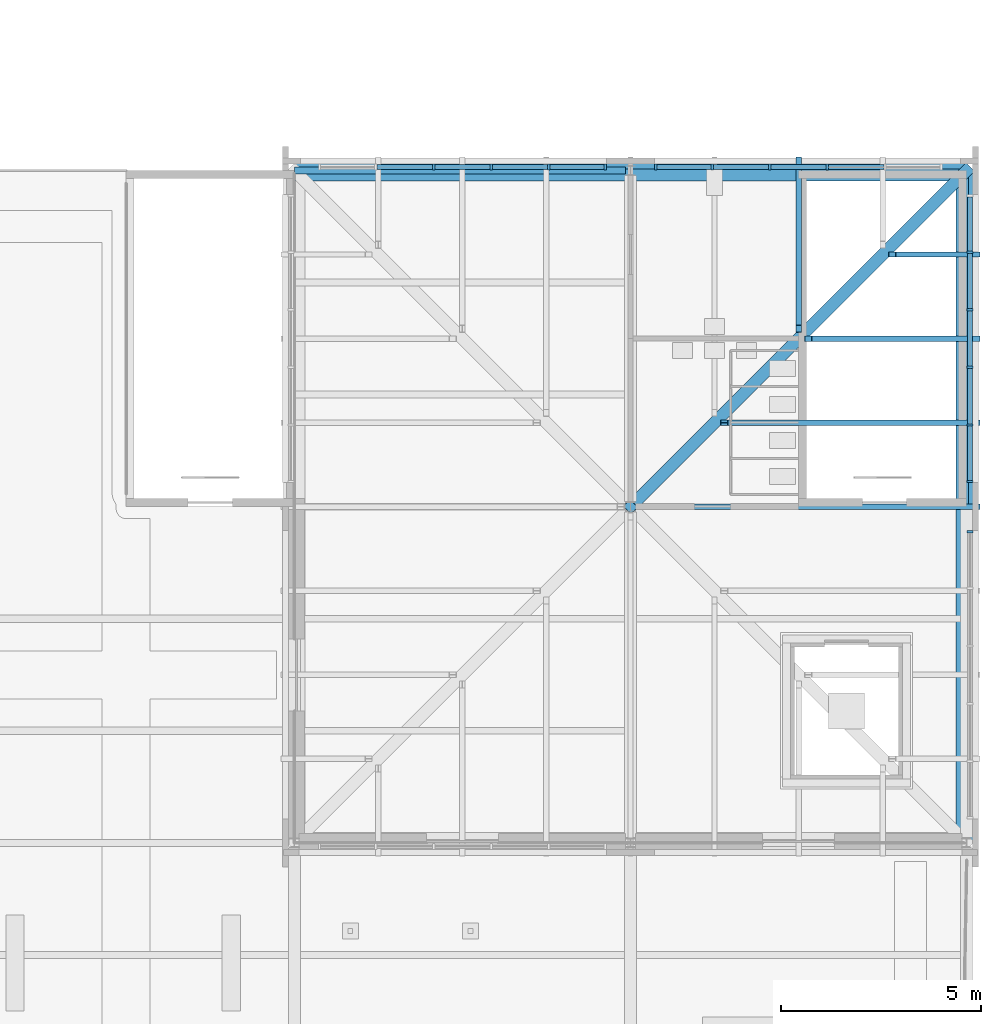
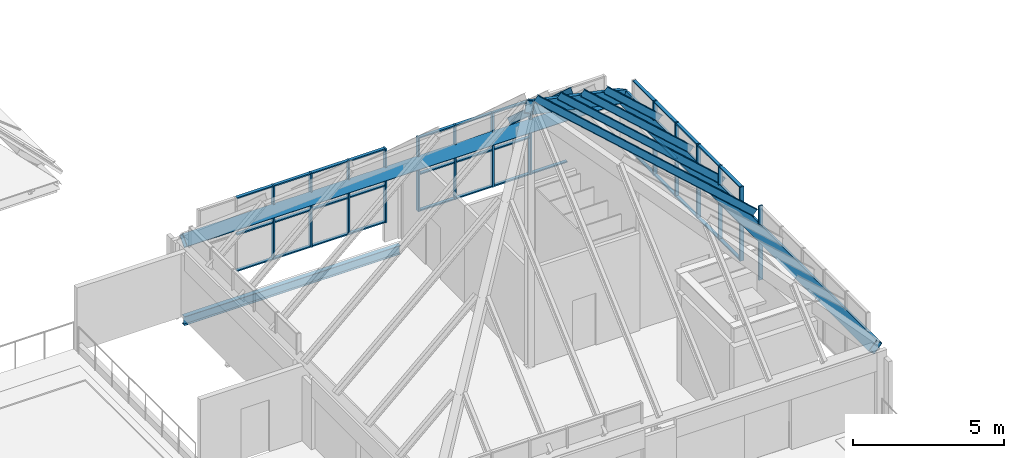
# One storey, part 38 of 126: 56 members, 4 beams, 4 elements without a shape of their own.
"""IFC4 building model written with IfcOpenShell, lengths in metres."""

from ifc_helpers import new_model, si_unit, direction, frame, origin, origin_2d, place, context, subcontext, project, spatial, polyline, rectangle, i_section, outline, extrude, material, material_profile, profile_set, type_object, element, aggregate, save


model = new_model("IFC4")

# Units and contexts
model_context = context("Model", 3, precision=1e-05, world=origin(), true_north=direction((0.0, 1.0)))
body_context = subcontext(model_context, "Body", "Model", "MODEL_VIEW")
ifc_project = project(units=[si_unit("LENGTHUNIT", "METRE"), si_unit("AREAUNIT", "SQUARE_METRE"), si_unit("VOLUMEUNIT", "CUBIC_METRE"), si_unit("PLANEANGLEUNIT", "RADIAN"), si_unit("MASSUNIT", "GRAM", prefix="KILO")], contexts=[model_context])

# Site, building, storey
site_placement = place(None, origin())
site = spatial("IfcSite", under=ifc_project, at=site_placement, CompositionType="ELEMENT")
building_placement = place(site_placement, origin())
building = spatial("IfcBuilding", under=site, at=building_placement, Name="Sava Quay Ferry Terminal", CompositionType="ELEMENT")
storey_placement = place(building_placement, frame((0.0, 0.0, 15.0)))
storey = spatial("IfcBuildingStorey", under=building, at=storey_placement, Name="L03", CompositionType="ELEMENT", Elevation=15.0)

# Beams
ifc_material_1 = material(Name="Steel S355", Category="steel")
ifc_material_profile_1 = material_profile(ifc_material_1, i_section(OverallWidth=0.169921875, OverallDepth=0.360107421875, WebThickness=0.008056640625, FlangeThickness=0.0126953125, at=origin_2d()), Name="IPE 360")
ifc_profile_set_1 = profile_set([ifc_material_profile_1], Name="Steel S355")
beam_type_1 = type_object("IfcBeamType", Name="Beam IPE 360", PredefinedType="BEAM", material=ifc_profile_set_1)
beam_1_placement = place(storey_placement, frame((109.199951171875, 50.39990234375, -0.31005859375), z_axis=(1.0, 0.0, 0.0), x_axis=(0.0, 1.0, 0.0)))
element("IfcBeam", 1, at=beam_1_placement, inside=storey, type_object=beam_type_1, Name="Beam L03", PredefinedType="BEAM", context=body_context, shape_type="SweptSolid", body=[
    extrude(i_section(OverallWidth=0.169921875, OverallDepth=0.360107421875, WebThickness=0.008056640625, FlangeThickness=0.0126953125, at=origin_2d()), origin(), (0.0, 0.0, 1.0), 8.27001953125),
])
ifc_material_2 = material(Name="Steel S355", Category="steel")
ifc_material_profile_2 = material_profile(ifc_material_2, outline(polyline([(-0.14990234375, -0.228515625), (0.14990234375, -0.228515625), (0.14990234375, 0.228515625), (-0.14990234375, 0.228515625), (-0.14990234375, -0.228515625)]), holes=[polyline([(-0.1298828125, -0.20849609375), (-0.1298828125, 0.20849609375), (0.1298828125, 0.20849609375), (0.1298828125, -0.20849609375), (-0.1298828125, -0.20849609375)])]), Name="Box 457x300x20 built-up")
ifc_profile_set_2 = profile_set([ifc_material_profile_2], Name="Steel S355")
beam_type_2 = type_object("IfcBeamType", Name="Fascia beam Box 457x300x20", PredefinedType="BEAM", material=ifc_profile_set_2)
beam_2_placement = place(storey_placement, frame((126.0, 50.39990234375, 2.89990234375), z_axis=(-1.0, 0.0, 0.0), x_axis=(0.0, -0.743144825477, 0.669130606359)))
element("IfcBeam", 2, at=beam_2_placement, inside=storey, type_object=beam_type_2, Name="East pavilion eave fascia beam EA3", PredefinedType="BEAM", context=body_context, shape_type="SweptSolid", body=[
    extrude(outline(polyline([(-0.14990234375, -0.228515625), (0.14990234375, -0.228515625), (0.14990234375, 0.228515625), (-0.14990234375, 0.228515625), (-0.14990234375, -0.228515625)]), holes=[polyline([(-0.1298828125, -0.20849609375), (-0.1298828125, 0.20849609375), (0.1298828125, 0.20849609375), (0.1298828125, -0.20849609375), (-0.1298828125, -0.20849609375)])]), origin(), (0.0, 0.0, 1.0), 16.800048828125),
])
beam_3_placement = place(storey_placement, frame((126.0, 50.39990234375, 2.89990234375), z_axis=(-0.596468905939, -0.596468905939, 0.537075123699), x_axis=(0.707106781187, -0.707106781187, 0.0)))
element("IfcBeam", 3, at=beam_3_placement, inside=storey, type_object=beam_type_2, Name="East pavilion hip fascia beam HI4", PredefinedType="BEAM", context=body_context, shape_type="SweptSolid", body=[
    extrude(outline(polyline([(-0.14990234375, -0.228515625), (0.14990234375, -0.228515625), (0.14990234375, 0.228515625), (-0.14990234375, 0.228515625), (-0.14990234375, -0.228515625)]), holes=[polyline([(-0.1298828125, -0.20849609375), (-0.1298828125, 0.20849609375), (0.1298828125, 0.20849609375), (0.1298828125, -0.20849609375), (-0.1298828125, -0.20849609375)])]), origin(), (0.0, 0.0, 1.0), 14.082763671875),
])
beam_4_placement = place(storey_placement, frame((126.0, 33.60009765625, 2.89990234375), z_axis=(0.0, 1.0, 0.0), x_axis=(-0.743144825477, 0.0, 0.669130606359)))
element("IfcBeam", 4, at=beam_4_placement, inside=storey, type_object=beam_type_2, Name="East pavilion eave fascia beam EA4", PredefinedType="BEAM", context=body_context, shape_type="SweptSolid", body=[
    extrude(outline(polyline([(-0.14990234375, -0.228515625), (0.14990234375, -0.228515625), (0.14990234375, 0.228515625), (-0.14990234375, 0.228515625), (-0.14990234375, -0.228515625)]), holes=[polyline([(-0.1298828125, -0.20849609375), (-0.1298828125, 0.20849609375), (0.1298828125, 0.20849609375), (0.1298828125, -0.20849609375), (-0.1298828125, -0.20849609375)])]), origin(), (0.0, 0.0, 1.0), 16.7998046875),
])

# Curtain wall, member
ifc_material_3 = material(Name="Aluminium and glass curtain wall, double low-e glazed", Category="aluminium")
curtain_wall_type = type_object("IfcCurtainWallType", Name="Curtain wall CW-F flank", PredefinedType="NOTDEFINED", material=ifc_material_3)
curtain_wall_1_placement = place(storey_placement, origin())
curtain_wall_1 = element("IfcCurtainWall", 5, at=curtain_wall_1_placement, inside=storey, type_object=curtain_wall_type, Name="Curtain wall P-PAV-E L03 bay 1", PredefinedType="NOTDEFINED")
ifc_material_4 = material(Name="Aluminium EN AW-6063 T6", Category="aluminium")
ifc_material_profile_3 = material_profile(ifc_material_4, rectangle(XDim=0.14990234375, YDim=0.06005859375, at=origin_2d()), Name="Mullion 60x150 aluminium")
ifc_profile_set_3 = profile_set([ifc_material_profile_3], Name="Aluminium EN AW-6063 T6")
member_type_1 = type_object("IfcMemberType", Name="Mullion 60x150 aluminium", PredefinedType="MULLION", material=ifc_profile_set_3)
member_1_placement = place(storey_placement, frame((126.0849609375, 41.3701171875, 0.89990234375), z_axis=(0.0, 0.0, 1.0), x_axis=(-1.0, 0.0, 0.0)))
member_1 = element("IfcMember", 6, at=member_1_placement, type_object=member_type_1, Name="CW113 mullion 6", PredefinedType="MULLION", context=body_context, shape_type="SweptSolid", body=[
    extrude(rectangle(XDim=0.14990234375, YDim=0.06005859375, at=origin_2d()), origin(), (0.0, 0.0, 1.0), 3.0),
])
aggregate(curtain_wall_1, [member_1])

# Curtain wall, members
curtain_wall_2_placement = place(storey_placement, origin())
curtain_wall_2 = element("IfcCurtainWall", 7, at=curtain_wall_2_placement, inside=storey, type_object=curtain_wall_type, Name="Curtain wall P-PAV-E L03 bay 2", PredefinedType="NOTDEFINED")
member_2_placement = place(storey_placement, frame((126.0849609375, 42.6298828125, 0.89990234375), z_axis=(0.0, 0.0, 1.0), x_axis=(-1.0, 0.0, 0.0)))
member_2 = element("IfcMember", 8, at=member_2_placement, type_object=member_type_1, Name="CW114 mullion 1", PredefinedType="MULLION", context=body_context, shape_type="SweptSolid", body=[
    extrude(rectangle(XDim=0.14990234375, YDim=0.06005859375, at=origin_2d()), origin(), (0.0, 0.0, 1.0), 3.0),
])
member_3_placement = place(storey_placement, frame((126.0849609375, 44.0400390625, 0.89990234375), z_axis=(0.0, 0.0, 1.0), x_axis=(-1.0, 0.0, 0.0)))
member_3 = element("IfcMember", 9, at=member_3_placement, type_object=member_type_1, Name="CW114 mullion 2", PredefinedType="MULLION", context=body_context, shape_type="SweptSolid", body=[
    extrude(rectangle(XDim=0.14990234375, YDim=0.06005859375, at=origin_2d()), origin(), (0.0, 0.0, 1.0), 3.0),
])
member_4_placement = place(storey_placement, frame((126.0849609375, 45.47998046875, 0.89990234375), z_axis=(0.0, 0.0, 1.0), x_axis=(-1.0, 0.0, 0.0)))
member_4 = element("IfcMember", 10, at=member_4_placement, type_object=member_type_1, Name="CW114 mullion 3", PredefinedType="MULLION", context=body_context, shape_type="SweptSolid", body=[
    extrude(rectangle(XDim=0.14990234375, YDim=0.06005859375, at=origin_2d()), origin(), (0.0, 0.0, 1.0), 3.0),
])
member_5_placement = place(storey_placement, frame((126.0849609375, 46.919921875, 0.89990234375), z_axis=(0.0, 0.0, 1.0), x_axis=(-1.0, 0.0, 0.0)))
member_5 = element("IfcMember", 11, at=member_5_placement, type_object=member_type_1, Name="CW114 mullion 4", PredefinedType="MULLION", context=body_context, shape_type="SweptSolid", body=[
    extrude(rectangle(XDim=0.14990234375, YDim=0.06005859375, at=origin_2d()), origin(), (0.0, 0.0, 1.0), 3.0),
])
member_6_placement = place(storey_placement, frame((126.0849609375, 48.360107421875, 0.89990234375), z_axis=(0.0, 0.0, 1.0), x_axis=(-1.0, 0.0, 0.0)))
member_6 = element("IfcMember", 12, at=member_6_placement, type_object=member_type_1, Name="CW114 mullion 5", PredefinedType="MULLION", context=body_context, shape_type="SweptSolid", body=[
    extrude(rectangle(XDim=0.14990234375, YDim=0.06005859375, at=origin_2d()), origin(), (0.0, 0.0, 1.0), 3.0),
])

curtain_wall_3_placement = place(storey_placement, origin())
curtain_wall_3 = element("IfcCurtainWall", 13, at=curtain_wall_3_placement, inside=storey, type_object=curtain_wall_type, Name="Curtain wall P-PAV-N L03 bay 1", PredefinedType="NOTDEFINED")
member_7_placement = place(storey_placement, frame((112.679931640625, 50.485107421875, 0.89990234375), z_axis=(0.0, 0.0, 1.0), x_axis=(0.0, 1.0, 0.0)))
member_7 = element("IfcMember", 14, at=member_7_placement, type_object=member_type_1, Name="CW115 mullion 3", PredefinedType="MULLION", context=body_context, shape_type="SweptSolid", body=[
    extrude(rectangle(XDim=0.14990234375, YDim=0.06005859375, at=origin_2d()), origin(), (0.0, 0.0, 1.0), 3.0),
])
member_8_placement = place(storey_placement, frame((114.1201171875, 50.485107421875, 0.89990234375), z_axis=(0.0, 0.0, 1.0), x_axis=(0.0, 1.0, 0.0)))
member_8 = element("IfcMember", 15, at=member_8_placement, type_object=member_type_1, Name="CW115 mullion 4", PredefinedType="MULLION", context=body_context, shape_type="SweptSolid", body=[
    extrude(rectangle(XDim=0.14990234375, YDim=0.06005859375, at=origin_2d()), origin(), (0.0, 0.0, 1.0), 3.0),
])
member_9_placement = place(storey_placement, frame((115.56005859375, 50.485107421875, 0.89990234375), z_axis=(0.0, 0.0, 1.0), x_axis=(0.0, 1.0, 0.0)))
member_9 = element("IfcMember", 16, at=member_9_placement, type_object=member_type_1, Name="CW115 mullion 5", PredefinedType="MULLION", context=body_context, shape_type="SweptSolid", body=[
    extrude(rectangle(XDim=0.14990234375, YDim=0.06005859375, at=origin_2d()), origin(), (0.0, 0.0, 1.0), 3.0),
])
member_10_placement = place(storey_placement, frame((116.969970703125, 50.485107421875, 0.89990234375), z_axis=(0.0, 0.0, 1.0), x_axis=(0.0, 1.0, 0.0)))
member_10 = element("IfcMember", 17, at=member_10_placement, type_object=member_type_1, Name="CW115 mullion 6", PredefinedType="MULLION", context=body_context, shape_type="SweptSolid", body=[
    extrude(rectangle(XDim=0.14990234375, YDim=0.06005859375, at=origin_2d()), origin(), (0.0, 0.0, 1.0), 3.0),
])

curtain_wall_4_placement = place(storey_placement, origin())
curtain_wall_4 = element("IfcCurtainWall", 18, at=curtain_wall_4_placement, inside=storey, type_object=curtain_wall_type, Name="Curtain wall P-PAV-N L03 bay 2", PredefinedType="NOTDEFINED")
member_11_placement = place(storey_placement, frame((118.22998046875, 50.485107421875, 0.89990234375), z_axis=(0.0, 0.0, 1.0), x_axis=(0.0, 1.0, 0.0)))
member_11 = element("IfcMember", 19, at=member_11_placement, type_object=member_type_1, Name="CW116 mullion 1", PredefinedType="MULLION", context=body_context, shape_type="SweptSolid", body=[
    extrude(rectangle(XDim=0.14990234375, YDim=0.06005859375, at=origin_2d()), origin(), (0.0, 0.0, 1.0), 3.0),
])
member_12_placement = place(storey_placement, frame((119.639892578125, 50.485107421875, 0.89990234375), z_axis=(0.0, 0.0, 1.0), x_axis=(0.0, 1.0, 0.0)))
member_12 = element("IfcMember", 20, at=member_12_placement, type_object=member_type_1, Name="CW116 mullion 2", PredefinedType="MULLION", context=body_context, shape_type="SweptSolid", body=[
    extrude(rectangle(XDim=0.14990234375, YDim=0.06005859375, at=origin_2d()), origin(), (0.0, 0.0, 1.0), 3.0),
])
member_13_placement = place(storey_placement, frame((121.080078125, 50.485107421875, 0.89990234375), z_axis=(0.0, 0.0, 1.0), x_axis=(0.0, 1.0, 0.0)))
member_13 = element("IfcMember", 21, at=member_13_placement, type_object=member_type_1, Name="CW116 mullion 3", PredefinedType="MULLION", context=body_context, shape_type="SweptSolid", body=[
    extrude(rectangle(XDim=0.14990234375, YDim=0.06005859375, at=origin_2d()), origin(), (0.0, 0.0, 1.0), 3.0),
])
member_14_placement = place(storey_placement, frame((122.52001953125, 50.485107421875, 0.89990234375), z_axis=(0.0, 0.0, 1.0), x_axis=(0.0, 1.0, 0.0)))
member_14 = element("IfcMember", 22, at=member_14_placement, type_object=member_type_1, Name="CW116 mullion 4", PredefinedType="MULLION", context=body_context, shape_type="SweptSolid", body=[
    extrude(rectangle(XDim=0.14990234375, YDim=0.06005859375, at=origin_2d()), origin(), (0.0, 0.0, 1.0), 3.0),
])

# Members
ifc_material_5 = material(Name="Steel S355", Category="steel")
ifc_material_profile_4 = material_profile(ifc_material_5, i_section(OverallWidth=0.135009765625, OverallDepth=0.27001953125, WebThickness=0.006591796875, FlangeThickness=0.01025390625, at=origin_2d()), Name="IPE 270")
ifc_profile_set_4 = profile_set([ifc_material_profile_4], Name="Steel S355")
member_type_2 = type_object("IfcMemberType", Name="Roof rafter IPE 270", PredefinedType="RAFTER", material=ifc_profile_set_4)
member_15_placement = place(storey_placement, frame((126.2431640625, 42.0, 3.170166015625), z_axis=(-0.743137323799, 0.0, 0.669138937723), x_axis=(0.0, -1.0, 0.0)))
element("IfcMember", 23, at=member_15_placement, inside=storey, type_object=member_type_2, Name="East pavilion rafter RA11", PredefinedType="RAFTER", context=body_context, shape_type="SweptSolid", body=[
    extrude(i_section(OverallWidth=0.135009765625, OverallDepth=0.27001953125, WebThickness=0.006591796875, FlangeThickness=0.01025390625, at=origin_2d()), origin(), (0.0, 0.0, 1.0), 11.30322265625),
])
member_16_placement = place(storey_placement, frame((126.2431640625, 44.10009765625, 3.170166015625), z_axis=(-0.743143770971, 0.0, 0.669131777505), x_axis=(0.0, -1.0, 0.0)))
element("IfcMember", 24, at=member_16_placement, inside=storey, type_object=member_type_2, Name="East pavilion rafter RA12", PredefinedType="RAFTER", context=body_context, shape_type="SweptSolid", body=[
    extrude(i_section(OverallWidth=0.135009765625, OverallDepth=0.27001953125, WebThickness=0.006591796875, FlangeThickness=0.01025390625, at=origin_2d()), origin(), (0.0, 0.0, 1.0), 8.4775390625),
])
member_17_placement = place(storey_placement, frame((126.2431640625, 46.199951171875, 3.170166015625), z_axis=(-0.743137323799, 0.0, 0.669138937723), x_axis=(0.0, -1.0, 0.0)))
element("IfcMember", 25, at=member_17_placement, inside=storey, type_object=member_type_2, Name="East pavilion rafter RA13", PredefinedType="RAFTER", context=body_context, shape_type="SweptSolid", body=[
    extrude(i_section(OverallWidth=0.135009765625, OverallDepth=0.27001953125, WebThickness=0.006591796875, FlangeThickness=0.01025390625, at=origin_2d()), origin(), (0.0, 0.0, 1.0), 5.651611328125),
])
member_18_placement = place(storey_placement, frame((126.2431640625, 48.300048828125, 3.170166015625), z_axis=(-0.743117981041, 0.0, 0.669160418923), x_axis=(0.0, -1.0, 0.0)))
element("IfcMember", 26, at=member_18_placement, inside=storey, type_object=member_type_2, Name="East pavilion rafter RA14", PredefinedType="RAFTER", context=body_context, shape_type="SweptSolid", body=[
    extrude(i_section(OverallWidth=0.135009765625, OverallDepth=0.27001953125, WebThickness=0.006591796875, FlangeThickness=0.01025390625, at=origin_2d()), origin(), (0.0, 0.0, 1.0), 2.82568359375),
])
member_19_placement = place(storey_placement, frame((121.800048828125, 50.643310546875, 3.170166015625), z_axis=(0.0, -0.743156664694, 0.669117457342), x_axis=(1.0, 0.0, 0.0)))
element("IfcMember", 27, at=member_19_placement, inside=storey, type_object=member_type_2, Name="East pavilion rafter RA16", PredefinedType="RAFTER", context=body_context, shape_type="SweptSolid", body=[
    extrude(i_section(OverallWidth=0.135009765625, OverallDepth=0.27001953125, WebThickness=0.006591796875, FlangeThickness=0.01025390625, at=origin_2d()), origin(), (0.0, 0.0, 1.0), 5.65185546875),
])

# Member
ifc_material_6 = material(Name="Aluminium EN AW-6063 T6", Category="aluminium")
ifc_material_profile_5 = material_profile(ifc_material_6, rectangle(XDim=0.1201171875, YDim=0.050048828125, at=origin_2d()), Name="Transom 50x120 aluminium")
ifc_profile_set_5 = profile_set([ifc_material_profile_5], Name="Aluminium EN AW-6063 T6")
member_type_3 = type_object("IfcMemberType", Name="Transom 50x120 aluminium", PredefinedType="USERDEFINED", material=ifc_profile_set_5)
member_20_placement = place(storey_placement, frame((126.0849609375, 42.659912109375, 0.925048828125), z_axis=(0.0, 1.0, 0.0), x_axis=(-1.0, 0.0, 0.0)))
member_20 = element("IfcMember", 28, at=member_20_placement, type_object=member_type_3, Name="CW114 transom 1.1", ObjectType="TRANSOM", PredefinedType="USERDEFINED", context=body_context, shape_type="SweptSolid", body=[
    extrude(rectangle(XDim=0.1201171875, YDim=0.050048828125, at=origin_2d()), origin(), (0.0, 0.0, 1.0), 1.35009765625),
])

member_21_placement = place(storey_placement, frame((126.0849609375, 42.659912109375, 2.39990234375), z_axis=(0.0, 1.0, 0.0), x_axis=(-1.0, 0.0, 0.0)))
member_21 = element("IfcMember", 29, at=member_21_placement, type_object=member_type_3, Name="CW114 transom 1.2", ObjectType="TRANSOM", PredefinedType="USERDEFINED", context=body_context, shape_type="SweptSolid", body=[
    extrude(rectangle(XDim=0.1201171875, YDim=0.050048828125, at=origin_2d()), origin(), (0.0, 0.0, 1.0), 1.35009765625),
])

member_22_placement = place(storey_placement, frame((126.0849609375, 42.659912109375, 3.875), z_axis=(0.0, 1.0, 0.0), x_axis=(-1.0, 0.0, 0.0)))
member_22 = element("IfcMember", 30, at=member_22_placement, type_object=member_type_3, Name="CW114 transom 1.3", ObjectType="TRANSOM", PredefinedType="USERDEFINED", context=body_context, shape_type="SweptSolid", body=[
    extrude(rectangle(XDim=0.1201171875, YDim=0.050048828125, at=origin_2d()), origin(), (0.0, 0.0, 1.0), 1.35009765625),
])

member_23_placement = place(storey_placement, frame((126.0849609375, 44.070068359375, 0.925048828125), z_axis=(0.0, 1.0, 0.0), x_axis=(-1.0, 0.0, 0.0)))
member_23 = element("IfcMember", 31, at=member_23_placement, type_object=member_type_3, Name="CW114 transom 2.1", ObjectType="TRANSOM", PredefinedType="USERDEFINED", context=body_context, shape_type="SweptSolid", body=[
    extrude(rectangle(XDim=0.1201171875, YDim=0.050048828125, at=origin_2d()), origin(), (0.0, 0.0, 1.0), 1.3798828125),
])

member_24_placement = place(storey_placement, frame((126.0849609375, 44.070068359375, 2.39990234375), z_axis=(0.0, 1.0, 0.0), x_axis=(-1.0, 0.0, 0.0)))
member_24 = element("IfcMember", 32, at=member_24_placement, type_object=member_type_3, Name="CW114 transom 2.2", ObjectType="TRANSOM", PredefinedType="USERDEFINED", context=body_context, shape_type="SweptSolid", body=[
    extrude(rectangle(XDim=0.1201171875, YDim=0.050048828125, at=origin_2d()), origin(), (0.0, 0.0, 1.0), 1.3798828125),
])

member_25_placement = place(storey_placement, frame((126.0849609375, 44.070068359375, 3.875), z_axis=(0.0, 1.0, 0.0), x_axis=(-1.0, 0.0, 0.0)))
member_25 = element("IfcMember", 33, at=member_25_placement, type_object=member_type_3, Name="CW114 transom 2.3", ObjectType="TRANSOM", PredefinedType="USERDEFINED", context=body_context, shape_type="SweptSolid", body=[
    extrude(rectangle(XDim=0.1201171875, YDim=0.050048828125, at=origin_2d()), origin(), (0.0, 0.0, 1.0), 1.3798828125),
])

member_26_placement = place(storey_placement, frame((126.0849609375, 45.510009765625, 0.925048828125), z_axis=(0.0, 1.0, 0.0), x_axis=(-1.0, 0.0, 0.0)))
member_26 = element("IfcMember", 34, at=member_26_placement, type_object=member_type_3, Name="CW114 transom 3.1", ObjectType="TRANSOM", PredefinedType="USERDEFINED", context=body_context, shape_type="SweptSolid", body=[
    extrude(rectangle(XDim=0.1201171875, YDim=0.050048828125, at=origin_2d()), origin(), (0.0, 0.0, 1.0), 1.3798828125),
])

member_27_placement = place(storey_placement, frame((126.0849609375, 45.510009765625, 2.39990234375), z_axis=(0.0, 1.0, 0.0), x_axis=(-1.0, 0.0, 0.0)))
member_27 = element("IfcMember", 35, at=member_27_placement, type_object=member_type_3, Name="CW114 transom 3.2", ObjectType="TRANSOM", PredefinedType="USERDEFINED", context=body_context, shape_type="SweptSolid", body=[
    extrude(rectangle(XDim=0.1201171875, YDim=0.050048828125, at=origin_2d()), origin(), (0.0, 0.0, 1.0), 1.3798828125),
])

member_28_placement = place(storey_placement, frame((126.0849609375, 45.510009765625, 3.875), z_axis=(0.0, 1.0, 0.0), x_axis=(-1.0, 0.0, 0.0)))
member_28 = element("IfcMember", 36, at=member_28_placement, type_object=member_type_3, Name="CW114 transom 3.3", ObjectType="TRANSOM", PredefinedType="USERDEFINED", context=body_context, shape_type="SweptSolid", body=[
    extrude(rectangle(XDim=0.1201171875, YDim=0.050048828125, at=origin_2d()), origin(), (0.0, 0.0, 1.0), 1.3798828125),
])

member_29_placement = place(storey_placement, frame((126.0849609375, 46.949951171875, 0.925048828125), z_axis=(0.0, 1.0, 0.0), x_axis=(-1.0, 0.0, 0.0)))
member_29 = element("IfcMember", 37, at=member_29_placement, type_object=member_type_3, Name="CW114 transom 4.1", ObjectType="TRANSOM", PredefinedType="USERDEFINED", context=body_context, shape_type="SweptSolid", body=[
    extrude(rectangle(XDim=0.1201171875, YDim=0.050048828125, at=origin_2d()), origin(), (0.0, 0.0, 1.0), 1.380126953125),
])

member_30_placement = place(storey_placement, frame((126.0849609375, 46.949951171875, 2.39990234375), z_axis=(0.0, 1.0, 0.0), x_axis=(-1.0, 0.0, 0.0)))
member_30 = element("IfcMember", 38, at=member_30_placement, type_object=member_type_3, Name="CW114 transom 4.2", ObjectType="TRANSOM", PredefinedType="USERDEFINED", context=body_context, shape_type="SweptSolid", body=[
    extrude(rectangle(XDim=0.1201171875, YDim=0.050048828125, at=origin_2d()), origin(), (0.0, 0.0, 1.0), 1.380126953125),
])

member_31_placement = place(storey_placement, frame((126.0849609375, 46.949951171875, 3.875), z_axis=(0.0, 1.0, 0.0), x_axis=(-1.0, 0.0, 0.0)))
member_31 = element("IfcMember", 39, at=member_31_placement, type_object=member_type_3, Name="CW114 transom 4.3", ObjectType="TRANSOM", PredefinedType="USERDEFINED", context=body_context, shape_type="SweptSolid", body=[
    extrude(rectangle(XDim=0.1201171875, YDim=0.050048828125, at=origin_2d()), origin(), (0.0, 0.0, 1.0), 1.380126953125),
])

member_32_placement = place(storey_placement, frame((126.0849609375, 48.389892578125, 0.925048828125), z_axis=(0.0, 1.0, 0.0), x_axis=(-1.0, 0.0, 0.0)))
member_32 = element("IfcMember", 40, at=member_32_placement, type_object=member_type_3, Name="CW114 transom 5.1", ObjectType="TRANSOM", PredefinedType="USERDEFINED", context=body_context, shape_type="SweptSolid", body=[
    extrude(rectangle(XDim=0.1201171875, YDim=0.050048828125, at=origin_2d()), origin(), (0.0, 0.0, 1.0), 1.35009765625),
])

member_33_placement = place(storey_placement, frame((126.0849609375, 48.389892578125, 2.39990234375), z_axis=(0.0, 1.0, 0.0), x_axis=(-1.0, 0.0, 0.0)))
member_33 = element("IfcMember", 41, at=member_33_placement, type_object=member_type_3, Name="CW114 transom 5.2", ObjectType="TRANSOM", PredefinedType="USERDEFINED", context=body_context, shape_type="SweptSolid", body=[
    extrude(rectangle(XDim=0.1201171875, YDim=0.050048828125, at=origin_2d()), origin(), (0.0, 0.0, 1.0), 1.35009765625),
])

member_34_placement = place(storey_placement, frame((126.0849609375, 48.389892578125, 3.875), z_axis=(0.0, 1.0, 0.0), x_axis=(-1.0, 0.0, 0.0)))
member_34 = element("IfcMember", 42, at=member_34_placement, type_object=member_type_3, Name="CW114 transom 5.3", ObjectType="TRANSOM", PredefinedType="USERDEFINED", context=body_context, shape_type="SweptSolid", body=[
    extrude(rectangle(XDim=0.1201171875, YDim=0.050048828125, at=origin_2d()), origin(), (0.0, 0.0, 1.0), 1.35009765625),
])

aggregate(curtain_wall_2, [member_2, member_3, member_4, member_5, member_6, member_20, member_21, member_22, member_23, member_24, member_25, member_26, member_27, member_28, member_29, member_30, member_31, member_32, member_33, member_34])

member_35_placement = place(storey_placement, frame((111.27001953125, 50.485107421875, 0.925048828125), z_axis=(1.0, 0.0, 0.0), x_axis=(0.0, 1.0, 0.0)))
member_35 = element("IfcMember", 43, at=member_35_placement, type_object=member_type_3, Name="CW115 transom 2.1", ObjectType="TRANSOM", PredefinedType="USERDEFINED", context=body_context, shape_type="SweptSolid", body=[
    extrude(rectangle(XDim=0.1201171875, YDim=0.050048828125, at=origin_2d()), origin(), (0.0, 0.0, 1.0), 1.3798828125),
])

member_36_placement = place(storey_placement, frame((111.27001953125, 50.485107421875, 2.39990234375), z_axis=(1.0, 0.0, 0.0), x_axis=(0.0, 1.0, 0.0)))
member_36 = element("IfcMember", 44, at=member_36_placement, type_object=member_type_3, Name="CW115 transom 2.2", ObjectType="TRANSOM", PredefinedType="USERDEFINED", context=body_context, shape_type="SweptSolid", body=[
    extrude(rectangle(XDim=0.1201171875, YDim=0.050048828125, at=origin_2d()), origin(), (0.0, 0.0, 1.0), 1.3798828125),
])

member_37_placement = place(storey_placement, frame((111.27001953125, 50.485107421875, 3.875), z_axis=(1.0, 0.0, 0.0), x_axis=(0.0, 1.0, 0.0)))
member_37 = element("IfcMember", 45, at=member_37_placement, type_object=member_type_3, Name="CW115 transom 2.3", ObjectType="TRANSOM", PredefinedType="USERDEFINED", context=body_context, shape_type="SweptSolid", body=[
    extrude(rectangle(XDim=0.1201171875, YDim=0.050048828125, at=origin_2d()), origin(), (0.0, 0.0, 1.0), 1.3798828125),
])

member_38_placement = place(storey_placement, frame((112.7099609375, 50.485107421875, 0.925048828125), z_axis=(1.0, 0.0, 0.0), x_axis=(0.0, 1.0, 0.0)))
member_38 = element("IfcMember", 46, at=member_38_placement, type_object=member_type_3, Name="CW115 transom 3.1", ObjectType="TRANSOM", PredefinedType="USERDEFINED", context=body_context, shape_type="SweptSolid", body=[
    extrude(rectangle(XDim=0.1201171875, YDim=0.050048828125, at=origin_2d()), origin(), (0.0, 0.0, 1.0), 1.380126953125),
])

member_39_placement = place(storey_placement, frame((112.7099609375, 50.485107421875, 2.39990234375), z_axis=(1.0, 0.0, 0.0), x_axis=(0.0, 1.0, 0.0)))
member_39 = element("IfcMember", 47, at=member_39_placement, type_object=member_type_3, Name="CW115 transom 3.2", ObjectType="TRANSOM", PredefinedType="USERDEFINED", context=body_context, shape_type="SweptSolid", body=[
    extrude(rectangle(XDim=0.1201171875, YDim=0.050048828125, at=origin_2d()), origin(), (0.0, 0.0, 1.0), 1.380126953125),
])

member_40_placement = place(storey_placement, frame((112.7099609375, 50.485107421875, 3.875), z_axis=(1.0, 0.0, 0.0), x_axis=(0.0, 1.0, 0.0)))
member_40 = element("IfcMember", 48, at=member_40_placement, type_object=member_type_3, Name="CW115 transom 3.3", ObjectType="TRANSOM", PredefinedType="USERDEFINED", context=body_context, shape_type="SweptSolid", body=[
    extrude(rectangle(XDim=0.1201171875, YDim=0.050048828125, at=origin_2d()), origin(), (0.0, 0.0, 1.0), 1.380126953125),
])

member_41_placement = place(storey_placement, frame((114.14990234375, 50.485107421875, 0.925048828125), z_axis=(1.0, 0.0, 0.0), x_axis=(0.0, 1.0, 0.0)))
member_41 = element("IfcMember", 49, at=member_41_placement, type_object=member_type_3, Name="CW115 transom 4.1", ObjectType="TRANSOM", PredefinedType="USERDEFINED", context=body_context, shape_type="SweptSolid", body=[
    extrude(rectangle(XDim=0.1201171875, YDim=0.050048828125, at=origin_2d()), origin(), (0.0, 0.0, 1.0), 1.380126953125),
])

member_42_placement = place(storey_placement, frame((114.14990234375, 50.485107421875, 2.39990234375), z_axis=(1.0, 0.0, 0.0), x_axis=(0.0, 1.0, 0.0)))
member_42 = element("IfcMember", 50, at=member_42_placement, type_object=member_type_3, Name="CW115 transom 4.2", ObjectType="TRANSOM", PredefinedType="USERDEFINED", context=body_context, shape_type="SweptSolid", body=[
    extrude(rectangle(XDim=0.1201171875, YDim=0.050048828125, at=origin_2d()), origin(), (0.0, 0.0, 1.0), 1.380126953125),
])

member_43_placement = place(storey_placement, frame((114.14990234375, 50.485107421875, 3.875), z_axis=(1.0, 0.0, 0.0), x_axis=(0.0, 1.0, 0.0)))
member_43 = element("IfcMember", 51, at=member_43_placement, type_object=member_type_3, Name="CW115 transom 4.3", ObjectType="TRANSOM", PredefinedType="USERDEFINED", context=body_context, shape_type="SweptSolid", body=[
    extrude(rectangle(XDim=0.1201171875, YDim=0.050048828125, at=origin_2d()), origin(), (0.0, 0.0, 1.0), 1.380126953125),
])

member_44_placement = place(storey_placement, frame((115.590087890625, 50.485107421875, 0.925048828125), z_axis=(1.0, 0.0, 0.0), x_axis=(0.0, 1.0, 0.0)))
member_44 = element("IfcMember", 52, at=member_44_placement, type_object=member_type_3, Name="CW115 transom 5.1", ObjectType="TRANSOM", PredefinedType="USERDEFINED", context=body_context, shape_type="SweptSolid", body=[
    extrude(rectangle(XDim=0.1201171875, YDim=0.050048828125, at=origin_2d()), origin(), (0.0, 0.0, 1.0), 1.349853515625),
])

member_45_placement = place(storey_placement, frame((115.590087890625, 50.485107421875, 2.39990234375), z_axis=(1.0, 0.0, 0.0), x_axis=(0.0, 1.0, 0.0)))
member_45 = element("IfcMember", 53, at=member_45_placement, type_object=member_type_3, Name="CW115 transom 5.2", ObjectType="TRANSOM", PredefinedType="USERDEFINED", context=body_context, shape_type="SweptSolid", body=[
    extrude(rectangle(XDim=0.1201171875, YDim=0.050048828125, at=origin_2d()), origin(), (0.0, 0.0, 1.0), 1.349853515625),
])

member_46_placement = place(storey_placement, frame((115.590087890625, 50.485107421875, 3.875), z_axis=(1.0, 0.0, 0.0), x_axis=(0.0, 1.0, 0.0)))
member_46 = element("IfcMember", 54, at=member_46_placement, type_object=member_type_3, Name="CW115 transom 5.3", ObjectType="TRANSOM", PredefinedType="USERDEFINED", context=body_context, shape_type="SweptSolid", body=[
    extrude(rectangle(XDim=0.1201171875, YDim=0.050048828125, at=origin_2d()), origin(), (0.0, 0.0, 1.0), 1.349853515625),
])

aggregate(curtain_wall_3, [member_7, member_8, member_9, member_10, member_35, member_36, member_37, member_38, member_39, member_40, member_41, member_42, member_43, member_44, member_45, member_46])

member_47_placement = place(storey_placement, frame((118.260009765625, 50.485107421875, 0.925048828125), z_axis=(1.0, 0.0, 0.0), x_axis=(0.0, 1.0, 0.0)))
member_47 = element("IfcMember", 55, at=member_47_placement, type_object=member_type_3, Name="CW116 transom 1.1", ObjectType="TRANSOM", PredefinedType="USERDEFINED", context=body_context, shape_type="SweptSolid", body=[
    extrude(rectangle(XDim=0.1201171875, YDim=0.050048828125, at=origin_2d()), origin(), (0.0, 0.0, 1.0), 1.35009765625),
])

member_48_placement = place(storey_placement, frame((118.260009765625, 50.485107421875, 2.39990234375), z_axis=(1.0, 0.0, 0.0), x_axis=(0.0, 1.0, 0.0)))
member_48 = element("IfcMember", 56, at=member_48_placement, type_object=member_type_3, Name="CW116 transom 1.2", ObjectType="TRANSOM", PredefinedType="USERDEFINED", context=body_context, shape_type="SweptSolid", body=[
    extrude(rectangle(XDim=0.1201171875, YDim=0.050048828125, at=origin_2d()), origin(), (0.0, 0.0, 1.0), 1.35009765625),
])

member_49_placement = place(storey_placement, frame((118.260009765625, 50.485107421875, 3.875), z_axis=(1.0, 0.0, 0.0), x_axis=(0.0, 1.0, 0.0)))
member_49 = element("IfcMember", 57, at=member_49_placement, type_object=member_type_3, Name="CW116 transom 1.3", ObjectType="TRANSOM", PredefinedType="USERDEFINED", context=body_context, shape_type="SweptSolid", body=[
    extrude(rectangle(XDim=0.1201171875, YDim=0.050048828125, at=origin_2d()), origin(), (0.0, 0.0, 1.0), 1.35009765625),
])

member_50_placement = place(storey_placement, frame((119.669921875, 50.485107421875, 0.925048828125), z_axis=(1.0, 0.0, 0.0), x_axis=(0.0, 1.0, 0.0)))
member_50 = element("IfcMember", 58, at=member_50_placement, type_object=member_type_3, Name="CW116 transom 2.1", ObjectType="TRANSOM", PredefinedType="USERDEFINED", context=body_context, shape_type="SweptSolid", body=[
    extrude(rectangle(XDim=0.1201171875, YDim=0.050048828125, at=origin_2d()), origin(), (0.0, 0.0, 1.0), 1.380126953125),
])

member_51_placement = place(storey_placement, frame((119.669921875, 50.485107421875, 2.39990234375), z_axis=(1.0, 0.0, 0.0), x_axis=(0.0, 1.0, 0.0)))
member_51 = element("IfcMember", 59, at=member_51_placement, type_object=member_type_3, Name="CW116 transom 2.2", ObjectType="TRANSOM", PredefinedType="USERDEFINED", context=body_context, shape_type="SweptSolid", body=[
    extrude(rectangle(XDim=0.1201171875, YDim=0.050048828125, at=origin_2d()), origin(), (0.0, 0.0, 1.0), 1.380126953125),
])

member_52_placement = place(storey_placement, frame((119.669921875, 50.485107421875, 3.875), z_axis=(1.0, 0.0, 0.0), x_axis=(0.0, 1.0, 0.0)))
member_52 = element("IfcMember", 60, at=member_52_placement, type_object=member_type_3, Name="CW116 transom 2.3", ObjectType="TRANSOM", PredefinedType="USERDEFINED", context=body_context, shape_type="SweptSolid", body=[
    extrude(rectangle(XDim=0.1201171875, YDim=0.050048828125, at=origin_2d()), origin(), (0.0, 0.0, 1.0), 1.380126953125),
])

member_53_placement = place(storey_placement, frame((121.110107421875, 50.485107421875, 0.925048828125), z_axis=(1.0, 0.0, 0.0), x_axis=(0.0, 1.0, 0.0)))
member_53 = element("IfcMember", 61, at=member_53_placement, type_object=member_type_3, Name="CW116 transom 3.1", ObjectType="TRANSOM", PredefinedType="USERDEFINED", context=body_context, shape_type="SweptSolid", body=[
    extrude(rectangle(XDim=0.1201171875, YDim=0.050048828125, at=origin_2d()), origin(), (0.0, 0.0, 1.0), 1.3798828125),
])

member_54_placement = place(storey_placement, frame((121.110107421875, 50.485107421875, 2.39990234375), z_axis=(1.0, 0.0, 0.0), x_axis=(0.0, 1.0, 0.0)))
member_54 = element("IfcMember", 62, at=member_54_placement, type_object=member_type_3, Name="CW116 transom 3.2", ObjectType="TRANSOM", PredefinedType="USERDEFINED", context=body_context, shape_type="SweptSolid", body=[
    extrude(rectangle(XDim=0.1201171875, YDim=0.050048828125, at=origin_2d()), origin(), (0.0, 0.0, 1.0), 1.3798828125),
])

member_55_placement = place(storey_placement, frame((121.110107421875, 50.485107421875, 3.875), z_axis=(1.0, 0.0, 0.0), x_axis=(0.0, 1.0, 0.0)))
member_55 = element("IfcMember", 63, at=member_55_placement, type_object=member_type_3, Name="CW116 transom 3.3", ObjectType="TRANSOM", PredefinedType="USERDEFINED", context=body_context, shape_type="SweptSolid", body=[
    extrude(rectangle(XDim=0.1201171875, YDim=0.050048828125, at=origin_2d()), origin(), (0.0, 0.0, 1.0), 1.3798828125),
])

member_56_placement = place(storey_placement, frame((122.550048828125, 50.485107421875, 0.925048828125), z_axis=(1.0, 0.0, 0.0), x_axis=(0.0, 1.0, 0.0)))
member_56 = element("IfcMember", 64, at=member_56_placement, type_object=member_type_3, Name="CW116 transom 4.1", ObjectType="TRANSOM", PredefinedType="USERDEFINED", context=body_context, shape_type="SweptSolid", body=[
    extrude(rectangle(XDim=0.1201171875, YDim=0.050048828125, at=origin_2d()), origin(), (0.0, 0.0, 1.0), 1.3798828125),
])

aggregate(curtain_wall_4, [member_11, member_12, member_13, member_14, member_47, member_48, member_49, member_50, member_51, member_52, member_53, member_54, member_55, member_56])

save(model, "model.ifc")
